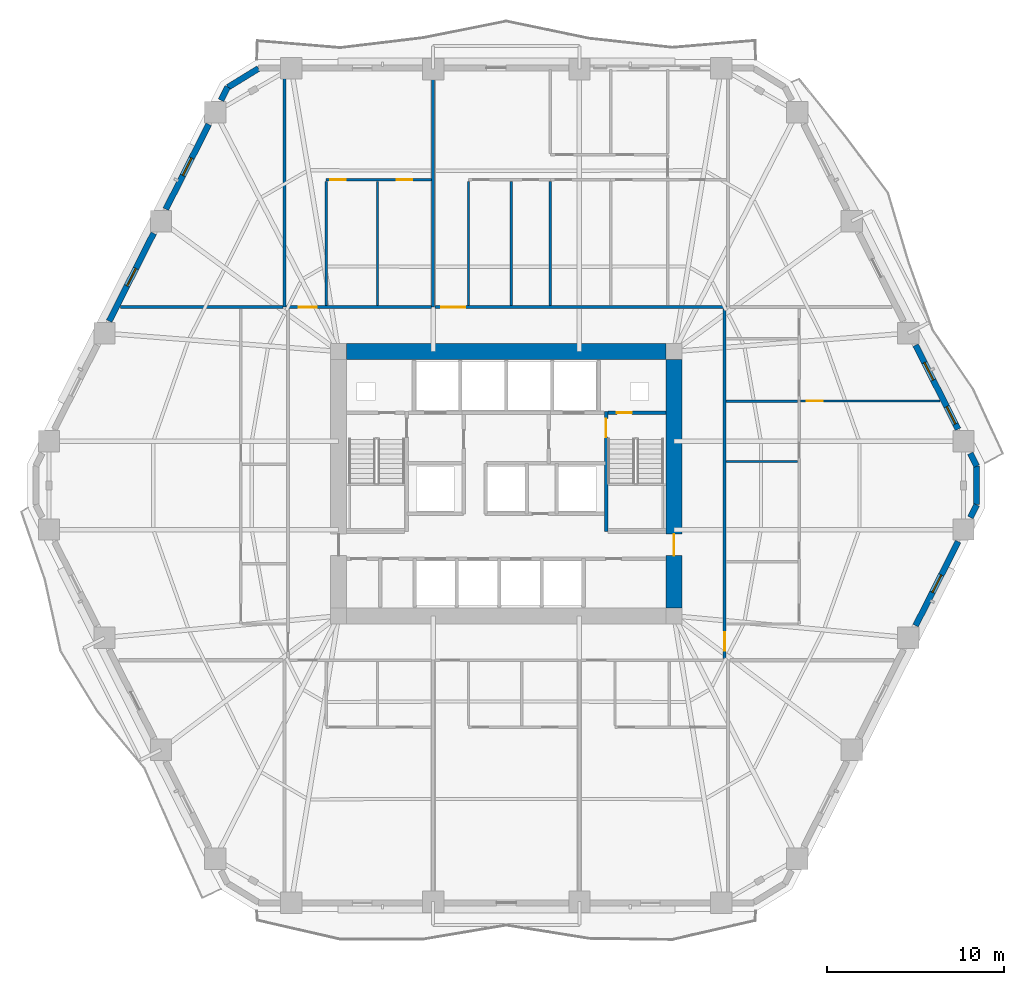
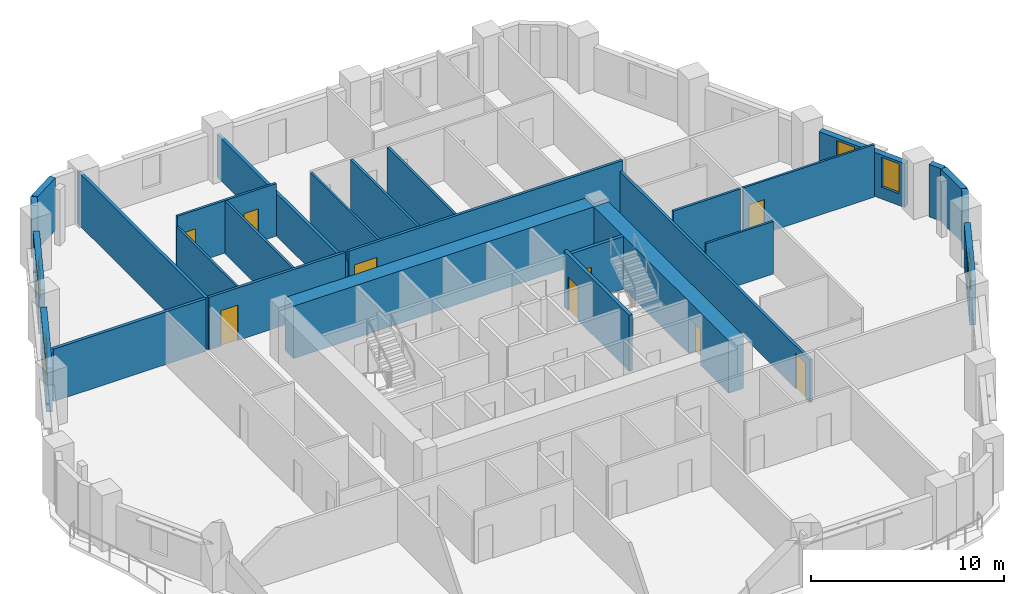
# One storey, part 6 of 13: 28 walls, 9 doors, 5 windows, 14 openings.
"""IFC4 building model written with IfcOpenShell, lengths in metres."""

from ifc_helpers import new_model, si_unit, direction, frame, frame_2d, origin, place, context, subcontext, project, spatial, rectangle, extrude, material, layer, layer_set, type_object, element, fill, save


model = new_model("IFC4")

# Units and contexts
model_context = context("Model", 3, precision=1e-05, world=origin(), true_north=direction((0.0, 1.0)))
body_context = subcontext(model_context, "Body", "Model", "MODEL_VIEW")
ifc_project = project(units=[si_unit("LENGTHUNIT", "METRE"), si_unit("AREAUNIT", "SQUARE_METRE"), si_unit("VOLUMEUNIT", "CUBIC_METRE"), si_unit("PLANEANGLEUNIT", "RADIAN"), si_unit("MASSUNIT", "GRAM", prefix="KILO")], contexts=[model_context])

# Site, building, storey
site_placement = place(None, origin())
site = spatial("IfcSite", under=ifc_project, at=site_placement, CompositionType="ELEMENT")
building_placement = place(site_placement, origin())
building = spatial("IfcBuilding", under=site, at=building_placement, Name="Cinnabar Lancet Tower", CompositionType="ELEMENT")
storey_placement = place(building_placement, frame((0.0, 0.0, 63.949951171875)))
storey = spatial("IfcBuildingStorey", under=building, at=storey_placement, Name="L16", CompositionType="ELEMENT", Elevation=63.949951171875)

# Wall, opening, door
ifc_material_1 = material(Name="Acoustic twin-stud gypsum partition", Category="gypsum")
ifc_layer_1 = layer(ifc_material_1, 0.159912109375)
ifc_layer_set_1 = layer_set([ifc_layer_1], Name="Acoustic twin-stud gypsum partition")
wall_type_1 = type_object("IfcWallType", Name="ARC-WL-CORR-160", PredefinedType="PARTITIONING", material=ifc_layer_set_1)
wall_1_placement = place(storey_placement, frame((19.9951171875, 35.85009765625, 0.0), z_axis=(0.0, 0.0, 1.0), x_axis=(1.0, 0.0, 0.0)))
wall_1 = element("IfcWall", 1, at=wall_1_placement, inside=storey, type_object=wall_type_1, Name="L16 Unit N01 Corridor Wall", PredefinedType="PARTITIONING", context=body_context, shape_type="SweptSolid", body=[
    extrude(rectangle(XDim=8.18798828125, YDim=0.159912109375, at=frame_2d((4.093994140625, 0.0))), origin(), (0.0, 0.0, 1.0), 3.330078125),
])
opening_1_placement = place(wall_1_placement, frame((0.705078125, 0.0, 0.0)))
opening_1 = element("IfcOpeningElement", 2, at=opening_1_placement, cuts=wall_1, Name="Opening UD-01", PredefinedType="OPENING", context=body_context, shape_type="SweptSolid", body=[
    extrude(rectangle(XDim=1.02001953125, YDim=2.25, at=frame_2d((0.510009765625, 1.125))), frame((0.0, 0.08984375, 0.0), z_axis=(0.0, -1.0, 0.0), x_axis=(1.0, 0.0, 0.0)), (0.0, 0.0, 1.0), 0.179931640625),
])
ifc_material_2 = material(Name="Solid timber fire-rated apartment entrance door", Category="wood")
door_type_1 = type_object("IfcDoorType", Name="ARC-DR-UNIT", OperationType="NOTDEFINED", PredefinedType="DOOR", material=ifc_material_2)
door_1_placement = place(opening_1_placement, origin())
door_1 = element("IfcDoor", 3, at=door_1_placement, inside=storey, type_object=door_type_1, Name="DR-L16-N01-ENT", OperationType="SINGLE_SWING_LEFT", OverallHeight=2.25, OverallWidth=1.02001953125, PredefinedType="DOOR", context=body_context, shape_type="SweptSolid", body=[
    extrude(rectangle(XDim=1.02001953125, YDim=2.25, at=frame_2d((0.510009765625, 1.125))), frame((0.0, 0.02490234375, 0.0), z_axis=(0.0, -1.0, 0.0), x_axis=(1.0, 0.0, 0.0)), (0.0, 0.0, 1.0), 0.050048828125),
])
fill(opening_1, door_1)

wall_2_placement = place(storey_placement, frame((28.373046875, 35.85009765625, 0.0), z_axis=(0.0, 0.0, 1.0), x_axis=(1.0, 0.0, 0.0)))
wall_2 = element("IfcWall", 4, at=wall_2_placement, inside=storey, type_object=wall_type_1, Name="L16 Unit N02 Corridor Wall", PredefinedType="PARTITIONING", context=body_context, shape_type="SweptSolid", body=[
    extrude(rectangle(XDim=16.431884765625, YDim=0.159912109375, at=frame_2d((8.2158203125, 0.0))), origin(), (0.0, 0.0, 1.0), 3.330078125),
])
opening_2_placement = place(wall_2_placement, frame((0.35498046875, 0.0, 0.0)))
opening_2 = element("IfcOpeningElement", 5, at=opening_2_placement, cuts=wall_2, Name="Opening UD-02", PredefinedType="OPENING", context=body_context, shape_type="SweptSolid", body=[
    extrude(rectangle(XDim=1.35009765625, YDim=2.35009765625, at=frame_2d((0.675048828125, 1.175048828125))), frame((0.0, 0.08984375, 0.0), z_axis=(0.0, -1.0, 0.0), x_axis=(1.0, 0.0, 0.0)), (0.0, 0.0, 1.0), 0.179931640625),
])
ifc_material_3 = material(Name="Double-leaf solid timber penthouse entrance door", Category="wood")
door_type_2 = type_object("IfcDoorType", Name="ARC-DR-UNIT-PH", OperationType="NOTDEFINED", PredefinedType="DOOR", material=ifc_material_3)
door_2_placement = place(opening_2_placement, origin())
door_2 = element("IfcDoor", 6, at=door_2_placement, inside=storey, type_object=door_type_2, Name="DR-L16-N02-ENT", OperationType="SINGLE_SWING_RIGHT", OverallHeight=2.35009765625, OverallWidth=1.35009765625, PredefinedType="DOOR", context=body_context, shape_type="SweptSolid", body=[
    extrude(rectangle(XDim=1.35009765625, YDim=2.35009765625, at=frame_2d((0.675048828125, 1.175048828125))), frame((0.0, 0.02490234375, 0.0), z_axis=(0.0, -1.0, 0.0), x_axis=(1.0, 0.0, 0.0)), (0.0, 0.0, 1.0), 0.050048828125),
])
fill(opening_2, door_2)

wall_3_placement = place(storey_placement, frame((44.699951171875, 16.044921875, 0.0), z_axis=(0.0, 0.0, 1.0), x_axis=(0.0, 1.0, 0.0)))
wall_3 = element("IfcWall", 7, at=wall_3_placement, inside=storey, type_object=wall_type_1, Name="UW-L16-E01-COR", PredefinedType="PARTITIONING", context=body_context, shape_type="SweptSolid", body=[
    extrude(rectangle(XDim=19.7099609375, YDim=0.159912109375, at=frame_2d((9.85498046875, 0.0))), origin(), (0.0, 0.0, 1.0), 2.699951171875),
])
opening_3_placement = place(wall_3_placement, frame((0.449951171875, 0.0, 0.0)))
opening_3 = element("IfcOpeningElement", 8, at=opening_3_placement, cuts=wall_3, Name="Opening UD-01", PredefinedType="OPENING", context=body_context, shape_type="SweptSolid", body=[
    extrude(rectangle(XDim=1.02001953125, YDim=2.25, at=frame_2d((0.510009765625, 1.125))), frame((0.0, 0.08984375, 0.0), z_axis=(0.0, -1.0, 0.0), x_axis=(1.0, 0.0, 0.0)), (0.0, 0.0, 1.0), 0.179931640625),
])
door_3_placement = place(opening_3_placement, origin())
door_3 = element("IfcDoor", 9, at=door_3_placement, inside=storey, type_object=door_type_1, Name="DR-L16-E01-ENT", OperationType="SINGLE_SWING_LEFT", OverallHeight=2.25, OverallWidth=1.02001953125, PredefinedType="DOOR", context=body_context, shape_type="SweptSolid", body=[
    extrude(rectangle(XDim=1.02001953125, YDim=2.25, at=frame_2d((0.510009765625, 1.125))), frame((0.0, 0.02490234375, 0.0), z_axis=(0.0, -1.0, 0.0), x_axis=(1.0, 0.0, 0.0)), (0.0, 0.0, 1.0), 0.050048828125),
])
fill(opening_3, door_3)

# Walls
ifc_material_4 = material(Name="Fire-rated twin-frame acoustic drywall", Category="gypsum")
ifc_layer_2 = layer(ifc_material_4, 0.179931640625)
ifc_layer_set_2 = layer_set([ifc_layer_2], Name="Fire-rated twin-frame acoustic drywall")
wall_type_2 = type_object("IfcWallType", Name="ARC-WL-PARTY-180", PredefinedType="PARTITIONING", material=ifc_layer_set_2)
wall_4_placement = place(storey_placement, frame((19.89990234375, 35.85009765625, 0.0), z_axis=(0.0, 0.0, 1.0), x_axis=(0.0, 1.0, 0.0)))
element("IfcWall", 10, at=wall_4_placement, inside=storey, type_object=wall_type_2, Name="PW-L16-NPTY-199", PredefinedType="PARTITIONING", context=body_context, shape_type="SweptSolid", body=[
    extrude(rectangle(XDim=13.294921875, YDim=0.179931640625, at=frame_2d((6.6474609375, 0.0))), origin(), (0.0, 0.0, 1.0), 3.330078125),
])
wall_5_placement = place(storey_placement, frame((28.278076171875, 35.85009765625, 0.0), z_axis=(0.0, 0.0, 1.0), x_axis=(0.0, 1.0, 0.0)))
element("IfcWall", 11, at=wall_5_placement, inside=storey, type_object=wall_type_2, Name="PW-L16-NPTY-283", PredefinedType="PARTITIONING", context=body_context, shape_type="SweptSolid", body=[
    extrude(rectangle(XDim=13.294921875, YDim=0.179931640625, at=frame_2d((6.6474609375, 0.0))), origin(), (0.0, 0.0, 1.0), 2.699951171875),
])
wall_6_placement = place(storey_placement, frame((10.6650390625, 35.85009765625, 0.0), z_axis=(0.0, 0.0, 1.0), x_axis=(1.0, 0.0, 0.0)))
element("IfcWall", 12, at=wall_6_placement, inside=storey, type_object=wall_type_2, Name="PW-L16-WNB", PredefinedType="PARTITIONING", context=body_context, shape_type="SweptSolid", body=[
    extrude(rectangle(XDim=9.139892578125, YDim=0.179931640625, at=frame_2d((4.56982421875, 0.0))), origin(), (0.0, 0.0, 1.0), 3.330078125),
])

# Wall, opening, door
ifc_material_5 = material(Name="Autoclaved aerated concrete blockwork", Category="masonry")
ifc_layer_3 = layer(ifc_material_5, 0.199951171875)
ifc_layer_set_3 = layer_set([ifc_layer_3], Name="Autoclaved aerated concrete blockwork")
wall_type_3 = type_object("IfcWallType", Name="ARC-WL-SHAFT-200", PredefinedType="PLUMBINGWALL", material=ifc_layer_set_3)
wall_7_placement = place(storey_placement, frame((38.125, 29.89990234375, 0.0), z_axis=(0.0, 0.0, 1.0), x_axis=(1.0, 0.0, 0.0)))
wall_7 = element("IfcWall", 13, at=wall_7_placement, inside=storey, type_object=wall_type_3, Name="CW-NSH-E-L16", PredefinedType="PLUMBINGWALL", context=body_context, shape_type="SweptSolid", body=[
    extrude(rectangle(XDim=3.27001953125, YDim=0.199951171875, at=frame_2d((1.635009765625, 0.0))), origin(), (0.0, 0.0, 1.0), 3.330078125),
])
opening_4_placement = place(wall_7_placement, frame((0.5, 0.0, 0.0)))
opening_4 = element("IfcOpeningElement", 14, at=opening_4_placement, cuts=wall_7, Name="Opening PD-02", PredefinedType="OPENING", context=body_context, shape_type="SweptSolid", body=[
    extrude(rectangle(XDim=0.85009765625, YDim=2.050048828125, at=frame_2d((0.425048828125, 1.02490234375))), frame((0.0, 0.10986328125, 0.0), z_axis=(0.0, -1.0, 0.0), x_axis=(1.0, 0.0, 0.0)), (0.0, 0.0, 1.0), 0.219970703125),
])
ifc_material_6 = material(Name="Fire-rated steel riser access door", Category="steel")
door_type_3 = type_object("IfcDoorType", Name="ARC-DR-RISER", OperationType="NOTDEFINED", PredefinedType="DOOR", material=ifc_material_6)
door_4_placement = place(opening_4_placement, origin())
door_4 = element("IfcDoor", 15, at=door_4_placement, inside=storey, type_object=door_type_3, Name="L16 East Riser Access Door", OperationType="SINGLE_SWING_RIGHT", OverallHeight=2.050048828125, OverallWidth=0.85009765625, PredefinedType="DOOR", context=body_context, shape_type="SweptSolid", body=[
    extrude(rectangle(XDim=0.85009765625, YDim=2.050048828125, at=frame_2d((0.425048828125, 1.02490234375))), frame((0.0, 0.02490234375, 0.0), z_axis=(0.0, -1.0, 0.0), x_axis=(1.0, 0.0, 0.0)), (0.0, 0.0, 1.0), 0.050048828125),
])
fill(opening_4, door_4)

# Walls
ifc_material_7 = material(Name="Gypsum plasterboard stud partition", Category="gypsum")
ifc_layer_4 = layer(ifc_material_7, 0.125)
ifc_layer_set_4 = layer_set([ifc_layer_4], Name="Gypsum plasterboard stud partition")
wall_type_4 = type_object("IfcWallType", Name="ARC-WL-UNIT-125", PredefinedType="PARTITIONING", material=ifc_layer_set_4)
wall_8_placement = place(storey_placement, frame((22.25, 35.93505859375, 0.0), z_axis=(0.0, 0.0, 1.0), x_axis=(0.0, 1.0, 0.0)))
element("IfcWall", 16, at=wall_8_placement, inside=storey, type_object=wall_type_4, Name="UW-L16-N01-FOYE", PredefinedType="PARTITIONING", context=body_context, shape_type="SweptSolid", body=[
    extrude(rectangle(XDim=6.989013671875, YDim=0.125, at=frame_2d((3.49462890625, 0.0))), origin(), (0.0, 0.0, 1.0), 2.699951171875),
])
wall_9_placement = place(storey_placement, frame((30.278076171875, 35.93505859375, 0.0), z_axis=(0.0, 0.0, 1.0), x_axis=(0.0, 1.0, 0.0)))
element("IfcWall", 17, at=wall_9_placement, inside=storey, type_object=wall_type_4, Name="UW-L16-N02-FOYE", PredefinedType="PARTITIONING", context=body_context, shape_type="SweptSolid", body=[
    extrude(rectangle(XDim=6.989013671875, YDim=0.125, at=frame_2d((3.49462890625, 0.0))), origin(), (0.0, 0.0, 1.0), 3.330078125),
])

# Wall, opening, door
wall_10_placement = place(storey_placement, frame((48.97509765625, 30.555908203125, 0.0), z_axis=(0.0, 0.0, 1.0), x_axis=(1.0, 0.0, 0.0)))
wall_10 = element("IfcWall", 18, at=wall_10_placement, inside=storey, type_object=wall_type_4, Name="UW-L16-E01-MBN", PredefinedType="PARTITIONING", context=body_context, shape_type="SweptSolid", body=[
    extrude(rectangle(XDim=7.85400390625, YDim=0.125, at=frame_2d((3.927001953125, 0.0))), origin(), (0.0, 0.0, 1.0), 3.330078125),
])
opening_5_placement = place(wall_10_placement, frame((0.35009765625, 0.0, 0.0)))
opening_5 = element("IfcOpeningElement", 19, at=opening_5_placement, cuts=wall_10, Name="Opening RD-01", PredefinedType="OPENING", context=body_context, shape_type="SweptSolid", body=[
    extrude(rectangle(XDim=0.919921875, YDim=2.14990234375, at=frame_2d((0.4599609375, 1.074951171875))), frame((0.0, 0.072509765625, 0.0), z_axis=(0.0, -1.0, 0.0), x_axis=(1.0, 0.0, 0.0)), (0.0, 0.0, 1.0), 0.14501953125),
])
ifc_material_8 = material(Name="Engineered timber bedroom door", Category="wood")
door_type_4 = type_object("IfcDoorType", Name="ARC-DR-ROOM", OperationType="NOTDEFINED", PredefinedType="DOOR", material=ifc_material_8)
door_5_placement = place(opening_5_placement, origin())
door_5 = element("IfcDoor", 20, at=door_5_placement, inside=storey, type_object=door_type_4, Name="DR-L16-E01-MBD", OperationType="SINGLE_SWING_LEFT", OverallHeight=2.14990234375, OverallWidth=0.919921875, PredefinedType="DOOR", context=body_context, shape_type="SweptSolid", body=[
    extrude(rectangle(XDim=0.919921875, YDim=2.14990234375, at=frame_2d((0.4599609375, 1.074951171875))), frame((0.0, 0.02490234375, 0.0), z_axis=(0.0, -1.0, 0.0), x_axis=(1.0, 0.0, 0.0)), (0.0, 0.0, 1.0), 0.050048828125),
])
fill(opening_5, door_5)

# Wall
wall_11_placement = place(storey_placement, frame((44.784912109375, 27.156005859375, 0.0), z_axis=(0.0, 0.0, 1.0), x_axis=(1.0, 0.0, 0.0)))
element("IfcWall", 21, at=wall_11_placement, inside=storey, type_object=wall_type_4, Name="UW-L16-E01-UDV", PredefinedType="PARTITIONING", context=body_context, shape_type="SweptSolid", body=[
    extrude(rectangle(XDim=4.030029296875, YDim=0.125, at=frame_2d((2.01513671875, 0.0))), origin(), (0.0, 0.0, 1.0), 3.330078125),
])

# Wall, openings, doors
ifc_material_9 = material(Name="Moisture-resistant cement-board plumbing wall", Category="masonry")
ifc_layer_5 = layer(ifc_material_9, 0.139892578125)
ifc_layer_set_5 = layer_set([ifc_layer_5], Name="Moisture-resistant cement-board plumbing wall")
wall_type_5 = type_object("IfcWallType", Name="ARC-WL-WET-140", PredefinedType="PLUMBINGWALL", material=ifc_layer_set_5)
wall_12_placement = place(storey_placement, frame((22.25, 43.029052734375, 0.0), z_axis=(0.0, 0.0, 1.0), x_axis=(1.0, 0.0, 0.0)))
wall_12 = element("IfcWall", 22, at=wall_12_placement, inside=storey, type_object=wall_type_5, Name="UW-L16-N01-SPL", PredefinedType="PLUMBINGWALL", context=body_context, shape_type="SweptSolid", body=[
    extrude(rectangle(XDim=5.93310546875, YDim=0.139892578125, at=frame_2d((2.966552734375, 0.0))), origin(), (0.0, 0.0, 1.0), 3.330078125),
])
opening_6_placement = place(wall_12_placement, frame((3.988037109375, 0.0, 0.0)))
opening_6 = element("IfcOpeningElement", 23, at=opening_6_placement, cuts=wall_12, Name="Opening BD-01", PredefinedType="OPENING", context=body_context, shape_type="SweptSolid", body=[
    extrude(rectangle(XDim=0.860107421875, YDim=2.10009765625, at=frame_2d((0.43017578125, 1.050048828125))), frame((0.0, 0.079833984375, 0.0), z_axis=(0.0, -1.0, 0.0), x_axis=(1.0, 0.0, 0.0)), (0.0, 0.0, 1.0), 0.159912109375),
])
opening_7_placement = place(wall_12_placement, frame((0.219970703125, 0.0, 0.0)))
opening_7 = element("IfcOpeningElement", 24, at=opening_7_placement, cuts=wall_12, Name="Opening RD-02", PredefinedType="OPENING", context=body_context, shape_type="SweptSolid", body=[
    extrude(rectangle(XDim=0.8798828125, YDim=2.14990234375, at=frame_2d((0.43994140625, 1.074951171875))), frame((0.0, 0.079833984375, 0.0), z_axis=(0.0, -1.0, 0.0), x_axis=(1.0, 0.0, 0.0)), (0.0, 0.0, 1.0), 0.159912109375),
])
ifc_material_10 = material(Name="Moisture-resistant timber bathroom door", Category="wood")
door_type_5 = type_object("IfcDoorType", Name="ARC-DR-BATH", OperationType="NOTDEFINED", PredefinedType="DOOR", material=ifc_material_10)
door_6_placement = place(opening_6_placement, origin())
door_6 = element("IfcDoor", 25, at=door_6_placement, inside=storey, type_object=door_type_5, Name="DR-L16-N01-BTH", OperationType="SINGLE_SWING_LEFT", OverallHeight=2.10009765625, OverallWidth=0.860107421875, PredefinedType="DOOR", context=body_context, shape_type="SweptSolid", body=[
    extrude(rectangle(XDim=0.860107421875, YDim=2.10009765625, at=frame_2d((0.43017578125, 1.050048828125))), frame((0.0, 0.02490234375, 0.0), z_axis=(0.0, -1.0, 0.0), x_axis=(1.0, 0.0, 0.0)), (0.0, 0.0, 1.0), 0.050048828125),
])
fill(opening_6, door_6)
ifc_material_11 = material(Name="Engineered timber study door", Category="wood")
door_type_6 = type_object("IfcDoorType", Name="ARC-DR-STUDY", OperationType="NOTDEFINED", PredefinedType="DOOR", material=ifc_material_11)
door_7_placement = place(opening_7_placement, origin())
door_7 = element("IfcDoor", 26, at=door_7_placement, inside=storey, type_object=door_type_6, Name="DR-L16-N01-KIT", OperationType="SINGLE_SWING_RIGHT", OverallHeight=2.14990234375, OverallWidth=0.8798828125, PredefinedType="DOOR", context=body_context, shape_type="SweptSolid", body=[
    extrude(rectangle(XDim=0.8798828125, YDim=2.14990234375, at=frame_2d((0.43994140625, 1.074951171875))), frame((0.0, 0.02490234375, 0.0), z_axis=(0.0, -1.0, 0.0), x_axis=(1.0, 0.0, 0.0)), (0.0, 0.0, 1.0), 0.050048828125),
])
fill(opening_7, door_7)

# Walls
for number, where, z_axis, x_axis, name in (
    (27, (25.14306640625, 35.93505859375, 0.0), (0.0, 0.0, 1.0), (0.0, 1.0, 0.0), "UW-L16-N01-KDV"),
    (28, (32.669921875, 35.93505859375, 0.0), (0.0, 0.0, 1.0), (0.0, 1.0, 0.0), "UW-L16-N02-KDV"),
    (29, (34.8779296875, 35.93505859375, 0.0), (0.0, 0.0, 1.0), (0.0, 1.0, 0.0), "UW-L16-N02-ENSW"),
):
    element("IfcWall", number, at=place(storey_placement, frame(where, z_axis=z_axis, x_axis=x_axis)), inside=storey, type_object=wall_type_5, Name=name, PredefinedType="PLUMBINGWALL", context=body_context, shape_type="SweptSolid", body=[
        extrude(rectangle(XDim=6.989013671875, YDim=0.139892578125, at=frame_2d((3.49462890625, 0.0))), origin(), (0.0, 0.0, 1.0), 3.330078125),
    ])
wall_13_placement = place(storey_placement, frame((44.784912109375, 30.555908203125, 0.0), z_axis=(0.0, 0.0, 1.0), x_axis=(1.0, 0.0, 0.0)))
element("IfcWall", 30, at=wall_13_placement, inside=storey, type_object=wall_type_5, Name="UW-L16-E01-ENSN", PredefinedType="PLUMBINGWALL", context=body_context, shape_type="SweptSolid", body=[
    extrude(rectangle(XDim=4.030029296875, YDim=0.139892578125, at=frame_2d((2.01513671875, 0.0))), origin(), (0.0, 0.0, 1.0), 3.330078125),
])
ifc_material_12 = material(Name="Cinnabar red clay brick", Category="masonry")
ifc_layer_6 = layer(ifc_material_12, 0.340087890625)
ifc_layer_set_6 = layer_set([ifc_layer_6], Name="Cinnabar red clay brick")
wall_type_6 = type_object("IfcWallType", Name="ENV-WL-BRK-RED-340", PredefinedType="STANDARD", material=ifc_layer_set_6)
wall_14_placement = place(storey_placement, frame((58.887939453125, 24.714111328125, 0.0), z_axis=(0.0, 0.0, 1.0), x_axis=(0.0, 1.0, 0.0)))
element("IfcWall", 31, at=wall_14_placement, inside=storey, type_object=wall_type_6, Name="L16 Chamfered Corner Brick Pier 3.1", PredefinedType="STANDARD", context=body_context, shape_type="SweptSolid", body=[
    extrude(rectangle(XDim=2.171875, YDim=0.340087890625, at=frame_2d((1.0859375, 0.0))), origin(), (0.0, 0.0, 1.0), 3.330078125),
])
wall_15_placement = place(storey_placement, frame((18.43896484375, 49.294921875, 0.0), z_axis=(0.0, 0.0, 1.0), x_axis=(-0.851870104345, -0.523753114857, 0.0)))
element("IfcWall", 32, at=wall_15_placement, inside=storey, type_object=wall_type_6, Name="L16 Chamfered Corner Brick Pier 5.1", PredefinedType="STANDARD", context=body_context, shape_type="SweptSolid", body=[
    extrude(rectangle(XDim=2.017822265625, YDim=0.340087890625, at=frame_2d((1.0087890625, 0.0))), origin(), (0.0, 0.0, 1.0), 3.330078125),
])

# Wall, opening, window
wall_16_placement = place(storey_placement, frame((55.465087890625, 17.90087890625, 0.0), z_axis=(0.0, 0.0, 1.0), x_axis=(0.451572088722, 0.892234637686, 0.0)))
wall_16 = element("IfcWall", 33, at=wall_16_placement, inside=storey, type_object=wall_type_6, Name="L16 Face 2 Masonry Bay Wall 4", PredefinedType="STANDARD", context=body_context, shape_type="SweptSolid", body=[
    extrude(rectangle(XDim=5.3037109375, YDim=0.340087890625, at=frame_2d((2.65185546875, 0.0))), origin(), (0.0, 0.0, 1.0), 2.787109375),
])
opening_8_placement = place(wall_16_placement, frame((2.10205078125, 0.0, 0.75)))
opening_8 = element("IfcOpeningElement", 34, at=opening_8_placement, cuts=wall_16, Name="Opening WN-04", PredefinedType="OPENING", context=body_context, shape_type="SweptSolid", body=[
    extrude(rectangle(XDim=1.10009765625, YDim=1.886962890625, at=frame_2d((0.550048828125, 0.943359375))), frame((0.0, 0.179931640625, 0.0), z_axis=(0.0, -1.0, 0.0), x_axis=(1.0, 0.0, 0.0)), (0.0, 0.0, 1.0), 0.360107421875),
])
ifc_material_13 = material(Name="Thermally broken bronze-anodized aluminium tall lancet window", Category="aluminium")
window_type = type_object("IfcWindowType", Name="ENV-WN-LANCET-1100", PartitioningType="SINGLE_PANEL", PredefinedType="WINDOW", material=ifc_material_13)
window_1_placement = place(opening_8_placement, origin())
window_1 = element("IfcWindow", 35, at=window_1_placement, inside=storey, type_object=window_type, Name="L16 Face 2 Gothic Lancet Window 4", OverallHeight=1.886962890625, OverallWidth=1.10009765625, PartitioningType="SINGLE_PANEL", PredefinedType="WINDOW", context=body_context, shape_type="SweptSolid", body=[
    extrude(rectangle(XDim=1.10009765625, YDim=1.886962890625, at=frame_2d((0.550048828125, 0.943359375))), frame((0.0, 0.030029296875, 0.0), z_axis=(0.0, -1.0, 0.0), x_axis=(1.0, 0.0, 0.0)), (0.0, 0.0, 1.0), 0.06005859375),
])
fill(opening_8, window_1)

# Walls
for number, where, z_axis, x_axis, name in (
    (36, (58.548095703125, 23.9951171875, 0.0), (0.0, 0.0, 1.0), (0.452101093511, 0.891966704113, 0.0), "L16 Face 2 Masonry Bay Wall 5"),
    (37, (58.908935546875, 26.89306640625, 0.0), (0.0, 0.0, 1.0), (-0.452101093511, 0.891966704113, 0.0), "L16 Face 3 Masonry Bay Wall 1"),
):
    element("IfcWall", number, at=place(storey_placement, frame(where, z_axis=z_axis, x_axis=x_axis)), inside=storey, type_object=wall_type_6, Name=name, PredefinedType="STANDARD", context=body_context, shape_type="SweptSolid", body=[
        extrude(rectangle(XDim=0.798095703125, YDim=0.340087890625, at=frame_2d((0.39892578125, 0.0))), origin(), (0.0, 0.0, 1.0), 3.330078125),
    ])

# Wall, openings, windows
wall_17_placement = place(storey_placement, frame((57.860107421875, 28.967041015625, 0.0), z_axis=(0.0, 0.0, 1.0), x_axis=(-0.451590635984, 0.892225250422, 0.0)))
wall_17 = element("IfcWall", 38, at=wall_17_placement, inside=storey, type_object=wall_type_6, Name="L16 Face 3 Masonry Bay Wall 2", PredefinedType="STANDARD", context=body_context, shape_type="SweptSolid", body=[
    extrude(rectangle(XDim=5.303466796875, YDim=0.340087890625, at=frame_2d((2.65185546875, 0.0))), origin(), (0.0, 0.0, 1.0), 2.787109375),
])
opening_9_placement = place(wall_17_placement, frame((0.33203125, 0.0, 0.75)))
opening_9 = element("IfcOpeningElement", 39, at=opening_9_placement, cuts=wall_17, Name="Opening WN-04", PredefinedType="OPENING", context=body_context, shape_type="SweptSolid", body=[
    extrude(rectangle(XDim=1.10009765625, YDim=1.886962890625, at=frame_2d((0.550048828125, 0.943359375))), frame((0.0, 0.179931640625, 0.0), z_axis=(0.0, -1.0, 0.0), x_axis=(1.0, 0.0, 0.0)), (0.0, 0.0, 1.0), 0.360107421875),
])
opening_10_placement = place(wall_17_placement, frame((3.10302734375, 0.0, 0.75)))
opening_10 = element("IfcOpeningElement", 40, at=opening_10_placement, cuts=wall_17, Name="Opening WN-04", PredefinedType="OPENING", context=body_context, shape_type="SweptSolid", body=[
    extrude(rectangle(XDim=1.10009765625, YDim=1.886962890625, at=frame_2d((0.550048828125, 0.943359375))), frame((0.0, 0.179931640625, 0.0), z_axis=(0.0, -1.0, 0.0), x_axis=(1.0, 0.0, 0.0)), (0.0, 0.0, 1.0), 0.360107421875),
])
window_2_placement = place(opening_9_placement, origin())
window_2 = element("IfcWindow", 41, at=window_2_placement, inside=storey, type_object=window_type, Name="L16 Face 3 Gothic Lancet Window 2", OverallHeight=1.886962890625, OverallWidth=1.10009765625, PartitioningType="SINGLE_PANEL", PredefinedType="WINDOW", context=body_context, shape_type="SweptSolid", body=[
    extrude(rectangle(XDim=1.10009765625, YDim=1.886962890625, at=frame_2d((0.550048828125, 0.943359375))), frame((0.0, 0.030029296875, 0.0), z_axis=(0.0, -1.0, 0.0), x_axis=(1.0, 0.0, 0.0)), (0.0, 0.0, 1.0), 0.06005859375),
])
fill(opening_9, window_2)
window_3_placement = place(opening_10_placement, origin())
window_3 = element("IfcWindow", 42, at=window_3_placement, inside=storey, type_object=window_type, Name="L16 Split-Bay Gothic Lancet Window 38", OverallHeight=1.886962890625, OverallWidth=1.10009765625, PartitioningType="SINGLE_PANEL", PredefinedType="WINDOW", context=body_context, shape_type="SweptSolid", body=[
    extrude(rectangle(XDim=1.10009765625, YDim=1.886962890625, at=frame_2d((0.550048828125, 0.943359375))), frame((0.0, 0.030029296875, 0.0), z_axis=(0.0, -1.0, 0.0), x_axis=(1.0, 0.0, 0.0)), (0.0, 0.0, 1.0), 0.06005859375),
])
fill(opening_10, window_3)

# Wall
wall_18_placement = place(storey_placement, frame((16.699951171875, 48.25390625, 0.0), z_axis=(0.0, 0.0, 1.0), x_axis=(-0.451995771866, -0.892020079491, 0.0)))
element("IfcWall", 43, at=wall_18_placement, inside=storey, type_object=wall_type_6, Name="L16 Face 5 Masonry Bay Wall 1", PredefinedType="STANDARD", context=body_context, shape_type="SweptSolid", body=[
    extrude(rectangle(XDim=0.836181640625, YDim=0.340087890625, at=frame_2d((0.41796875, 0.0))), origin(), (0.0, 0.0, 1.0), 3.330078125),
])

# Wall, opening, window
wall_19_placement = place(storey_placement, frame((15.634033203125, 46.14599609375, 0.0), z_axis=(0.0, 0.0, 1.0), x_axis=(-0.451697561555, -0.892171123095, 0.0)))
wall_19 = element("IfcWall", 44, at=wall_19_placement, inside=storey, type_object=wall_type_6, Name="L16 Face 5 Masonry Bay Wall 2", PredefinedType="STANDARD", context=body_context, shape_type="SweptSolid", body=[
    extrude(rectangle(XDim=5.350830078125, YDim=0.340087890625, at=frame_2d((2.67529296875, 0.0))), origin(), (0.0, 0.0, 1.0), 2.787109375),
])
opening_11_placement = place(wall_19_placement, frame((2.125, 0.0, 0.75)))
opening_11 = element("IfcOpeningElement", 45, at=opening_11_placement, cuts=wall_19, Name="Opening WN-04", PredefinedType="OPENING", context=body_context, shape_type="SweptSolid", body=[
    extrude(rectangle(XDim=1.10009765625, YDim=1.886962890625, at=frame_2d((0.550048828125, 0.943359375))), frame((0.0, 0.179931640625, 0.0), z_axis=(0.0, -1.0, 0.0), x_axis=(1.0, 0.0, 0.0)), (0.0, 0.0, 1.0), 0.360107421875),
])
window_4_placement = place(opening_11_placement, origin())
window_4 = element("IfcWindow", 46, at=window_4_placement, inside=storey, type_object=window_type, Name="L16 Face 5 Gothic Lancet Window 2", OverallHeight=1.886962890625, OverallWidth=1.10009765625, PartitioningType="SINGLE_PANEL", PredefinedType="WINDOW", context=body_context, shape_type="SweptSolid", body=[
    extrude(rectangle(XDim=1.10009765625, YDim=1.886962890625, at=frame_2d((0.550048828125, 0.943359375))), frame((0.0, 0.030029296875, 0.0), z_axis=(0.0, -1.0, 0.0), x_axis=(1.0, 0.0, 0.0)), (0.0, 0.0, 1.0), 0.06005859375),
])
fill(opening_11, window_4)

wall_20_placement = place(storey_placement, frame((12.529052734375, 40.010009765625, 0.0), z_axis=(0.0, 0.0, 1.0), x_axis=(-0.451627137896, -0.892206774417, 0.0)))
wall_20 = element("IfcWall", 47, at=wall_20_placement, inside=storey, type_object=wall_type_6, Name="L16 Face 5 Masonry Bay Wall 3", PredefinedType="STANDARD", context=body_context, shape_type="SweptSolid", body=[
    extrude(rectangle(XDim=5.546875, YDim=0.340087890625, at=frame_2d((2.7734375, 0.0))), origin(), (0.0, 0.0, 1.0), 2.787109375),
])
opening_12_placement = place(wall_20_placement, frame((2.222900390625, 0.0, 0.75)))
opening_12 = element("IfcOpeningElement", 48, at=opening_12_placement, cuts=wall_20, Name="Opening WN-04", PredefinedType="OPENING", context=body_context, shape_type="SweptSolid", body=[
    extrude(rectangle(XDim=1.10009765625, YDim=1.886962890625, at=frame_2d((0.550048828125, 0.943359375))), frame((0.0, 0.179931640625, 0.0), z_axis=(0.0, -1.0, 0.0), x_axis=(1.0, 0.0, 0.0)), (0.0, 0.0, 1.0), 0.360107421875),
])
window_5_placement = place(opening_12_placement, origin())
window_5 = element("IfcWindow", 49, at=window_5_placement, inside=storey, type_object=window_type, Name="L16 Face 5 Gothic Lancet Window 3", OverallHeight=1.886962890625, OverallWidth=1.10009765625, PartitioningType="SINGLE_PANEL", PredefinedType="WINDOW", context=body_context, shape_type="SweptSolid", body=[
    extrude(rectangle(XDim=1.10009765625, YDim=1.886962890625, at=frame_2d((0.550048828125, 0.943359375))), frame((0.0, 0.030029296875, 0.0), z_axis=(0.0, -1.0, 0.0), x_axis=(1.0, 0.0, 0.0)), (0.0, 0.0, 1.0), 0.06005859375),
])
fill(opening_12, window_5)

# Wall
ifc_material_14 = material(Name="Concrete C80/95", Category="concrete")
ifc_layer_7 = layer(ifc_material_14, 0.89990234375)
ifc_layer_set_7 = layer_set([ifc_layer_7], Name="Concrete C80/95")
wall_type_7 = type_object("IfcWallType", Name="STR-WL-CORE-900", PredefinedType="SHEAR", material=ifc_layer_set_7)
wall_21_placement = place(storey_placement, frame((23.39990234375, 33.35009765625, 0.0), z_axis=(0.0, 0.0, 1.0), x_axis=(1.0, 0.0, 0.0)))
element("IfcWall", 50, at=wall_21_placement, inside=storey, type_object=wall_type_7, Name="L16 Core Shear Wall N", PredefinedType="SHEAR", context=body_context, shape_type="SweptSolid", body=[
    extrude(rectangle(XDim=18.0, YDim=0.89990234375, at=frame_2d((9.0, 0.0))), origin(), (0.0, 0.0, 1.0), 3.330078125),
])

# Wall, opening, door
wall_22_placement = place(storey_placement, frame((41.85009765625, 18.89990234375, 0.0), z_axis=(0.0, 0.0, 1.0), x_axis=(0.0, 1.0, 0.0)))
wall_22 = element("IfcWall", 51, at=wall_22_placement, inside=storey, type_object=wall_type_7, Name="L16 Core Shear Wall E", PredefinedType="SHEAR", context=body_context, shape_type="SweptSolid", body=[
    extrude(rectangle(XDim=14.0, YDim=0.89990234375, at=frame_2d((7.0, 0.0))), origin(), (0.0, 0.0, 1.0), 3.330078125),
])
opening_13_placement = place(wall_22_placement, frame((2.93994140625, 0.0, 0.0)))
opening_13 = element("IfcOpeningElement", 52, at=opening_13_placement, cuts=wall_22, Name="Opening FD-02", PredefinedType="OPENING", context=body_context, shape_type="SweptSolid", body=[
    extrude(rectangle(XDim=1.219970703125, YDim=2.25, at=frame_2d((0.60986328125, 1.125))), frame((0.0, 0.4599609375, 0.0), z_axis=(0.0, -1.0, 0.0), x_axis=(1.0, 0.0, 0.0)), (0.0, 0.0, 1.0), 0.919921875),
])
ifc_material_15 = material(Name="Fire-rated double-vision core portal door", Category="wood")
door_type_7 = type_object("IfcDoorType", Name="ARC-DR-CPORT", OperationType="NOTDEFINED", PredefinedType="DOOR", material=ifc_material_15)
door_8_placement = place(opening_13_placement, origin())
door_8 = element("IfcDoor", 53, at=door_8_placement, inside=storey, type_object=door_type_7, Name="L16 East Core Lobby Fire Door", OperationType="SINGLE_SWING_LEFT", OverallHeight=2.25, OverallWidth=1.219970703125, PredefinedType="DOOR", context=body_context, shape_type="SweptSolid", body=[
    extrude(rectangle(XDim=1.219970703125, YDim=2.25, at=frame_2d((0.60986328125, 1.125))), frame((0.0, 0.02490234375, 0.0), z_axis=(0.0, -1.0, 0.0), x_axis=(1.0, 0.0, 0.0)), (0.0, 0.0, 1.0), 0.050048828125),
])
fill(opening_13, door_8)

ifc_material_16 = material(Name="Concrete C50/60", Category="concrete")
ifc_layer_8 = layer(ifc_material_16, 0.199951171875)
ifc_layer_set_8 = layer_set([ifc_layer_8], Name="Concrete C50/60")
wall_type_8 = type_object("IfcWallType", Name="STR-WL-STAIR-200", PredefinedType="SHEAR", material=ifc_layer_set_8)
wall_23_placement = place(storey_placement, frame((38.02001953125, 23.199951171875, 0.0), z_axis=(0.0, 0.0, 1.0), x_axis=(0.0, 1.0, 0.0)))
wall_23 = element("IfcWall", 54, at=wall_23_placement, inside=storey, type_object=wall_type_8, Name="L16 Stair ST-2 Structural Enclosure Wall", PredefinedType="SHEAR", context=body_context, shape_type="SweptSolid", body=[
    extrude(rectangle(XDim=6.780029296875, YDim=0.199951171875, at=frame_2d((3.39013671875, 0.0))), origin(), (0.0, 0.0, 1.0), 3.550048828125),
])
opening_14_placement = place(wall_23_placement, frame((5.320068359375, 0.0, 0.0)))
opening_14 = element("IfcOpeningElement", 55, at=opening_14_placement, cuts=wall_23, Name="Opening SD-01", PredefinedType="OPENING", context=body_context, shape_type="SweptSolid", body=[
    extrude(rectangle(XDim=1.050048828125, YDim=2.14990234375, at=frame_2d((0.52490234375, 1.074951171875))), frame((0.0, 0.10986328125, 0.0), z_axis=(0.0, -1.0, 0.0), x_axis=(1.0, 0.0, 0.0)), (0.0, 0.0, 1.0), 0.219970703125),
])
ifc_material_17 = material(Name="Fire-rated steel stair exit door", Category="steel")
door_type_8 = type_object("IfcDoorType", Name="ARC-DR-STAIR", OperationType="NOTDEFINED", PredefinedType="DOOR", material=ifc_material_17)
door_9_placement = place(opening_14_placement, origin())
door_9 = element("IfcDoor", 56, at=door_9_placement, inside=storey, type_object=door_type_8, Name="L16 Stair ST-2 Fire Door", OperationType="SINGLE_SWING_RIGHT", OverallHeight=2.14990234375, OverallWidth=1.050048828125, PredefinedType="DOOR", context=body_context, shape_type="SweptSolid", body=[
    extrude(rectangle(XDim=1.050048828125, YDim=2.14990234375, at=frame_2d((0.52490234375, 1.074951171875))), frame((0.0, 0.02490234375, 0.0), z_axis=(0.0, -1.0, 0.0), x_axis=(1.0, 0.0, 0.0)), (0.0, 0.0, 1.0), 0.050048828125),
])
fill(opening_14, door_9)

save(model, "model.ifc")
